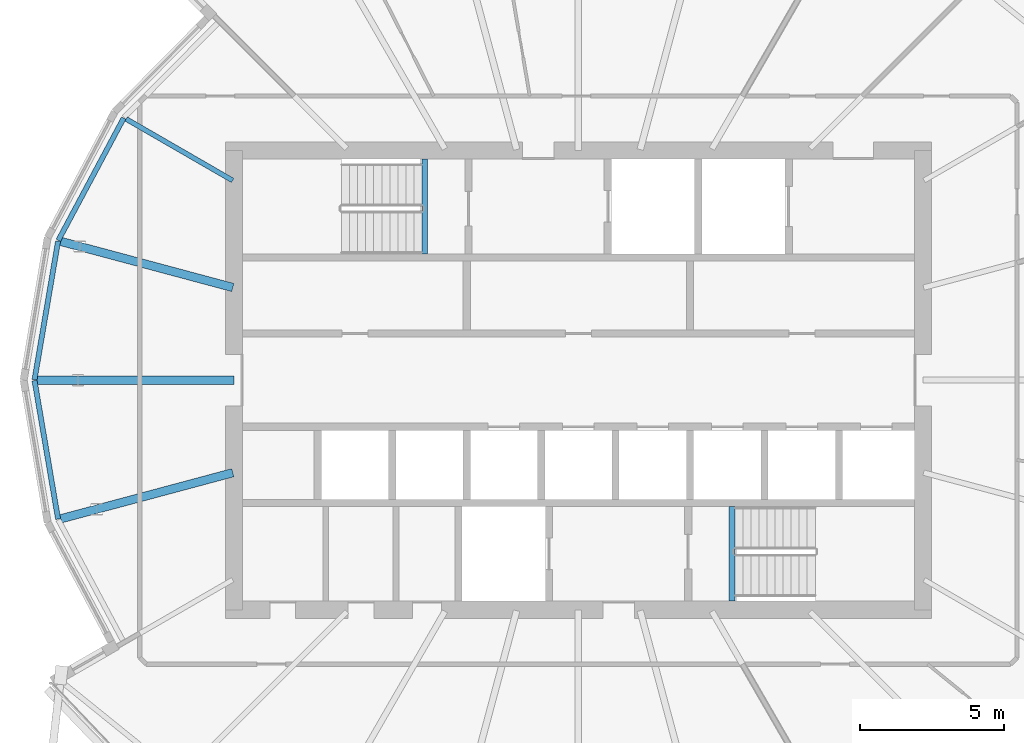
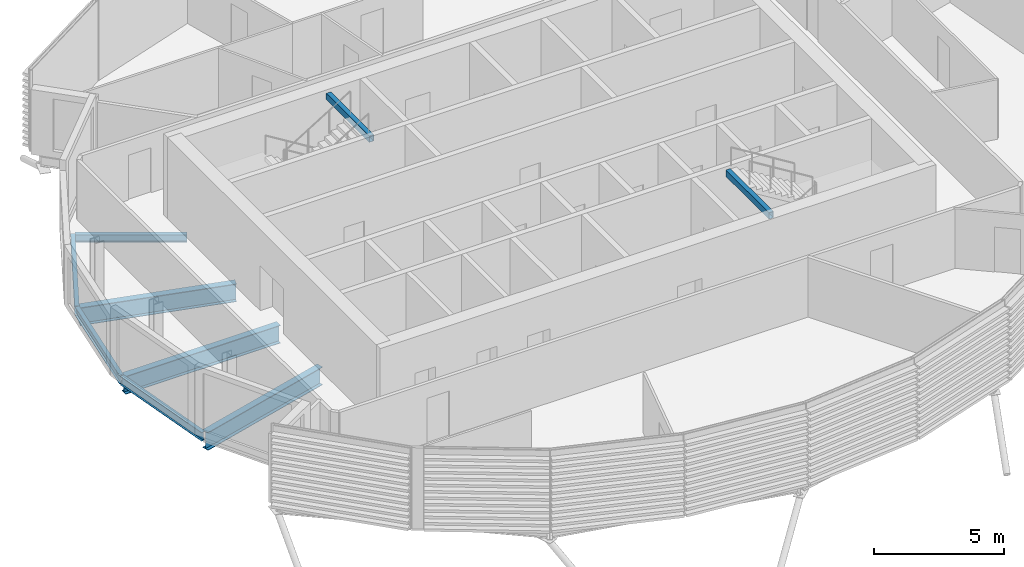
# One storey, part 5 of 36: 9 beams.
"""IFC4 building model written with IfcOpenShell, lengths in metres."""

from ifc_helpers import new_model, si_unit, direction, frame, origin, origin_2d, place, context, subcontext, project, spatial, hollow_rectangle, i_section, extrude, material, material_profile, profile_set, type_object, element, save


model = new_model("IFC4")

# Units and contexts
model_context = context("Model", 3, precision=1e-05, world=origin(), true_north=direction((0.0, 1.0)))
body_context = subcontext(model_context, "Body", "Model", "MODEL_VIEW")
ifc_project = project(units=[si_unit("LENGTHUNIT", "METRE"), si_unit("AREAUNIT", "SQUARE_METRE"), si_unit("VOLUMEUNIT", "CUBIC_METRE"), si_unit("PLANEANGLEUNIT", "RADIAN"), si_unit("MASSUNIT", "GRAM", prefix="KILO")], contexts=[model_context])

# Site, building, storey
site_placement = place(None, origin())
site = spatial("IfcSite", under=ifc_project, at=site_placement, CompositionType="ELEMENT")
building_placement = place(site_placement, origin())
building = spatial("IfcBuilding", under=site, at=building_placement, Name="Rimbun Link Towers", CompositionType="ELEMENT")
storey_placement = place(building_placement, frame((0.0, 0.0, 189.300048828125)))
storey = spatial("IfcBuildingStorey", under=building, at=storey_placement, Name="L46", CompositionType="ELEMENT", Elevation=189.300048828125)

# Beams
ifc_material_1 = material(Name="Steel S355J2", Category="steel")
ifc_material_profile_1 = material_profile(ifc_material_1, hollow_rectangle(XDim=0.199951171875, YDim=0.300048828125, WallThickness=0.011962890625, at=origin_2d()), Name="BOX 300x200x12")
ifc_profile_set_1 = profile_set([ifc_material_profile_1], Name="Steel S355J2")
beam_type_1 = type_object("IfcBeamType", Name="Stair trimmer beam BOX 300x200x12", PredefinedType="BEAM", material=ifc_profile_set_1)
for number, where, z_axis, x_axis, name in (
    (1, (-37.10009765625, 7.699951171875, 3.5), (0.0, -1.0, 0.0), (1.0, 0.0, 0.0), "L46 ST1 stair beam 1"),
    (2, (-26.39990234375, -7.699951171875, 3.5), (0.0, 1.0, 0.0), (-1.0, 0.0, 0.0), "L46 ST2 stair beam 1"),
):
    element("IfcBeam", number, at=place(storey_placement, frame(where, z_axis=z_axis, x_axis=x_axis)), inside=storey, type_object=beam_type_1, Name=name, PredefinedType="BEAM", context=body_context, shape_type="SweptSolid", body=[
        extrude(hollow_rectangle(XDim=0.199951171875, YDim=0.300048828125, WallThickness=0.011962890625, at=origin_2d()), origin(), (0.0, 0.0, 1.0), 3.300048828125),
    ])
ifc_material_2 = material(Name="Steel S355J2", Category="steel")
ifc_material_profile_2 = material_profile(ifc_material_2, i_section(OverallWidth=0.17138671875, OverallDepth=0.35498046875, WebThickness=0.00732421875, FlangeThickness=0.011474609375, at=origin_2d()), Name="UB 356x171x51")
ifc_profile_set_2 = profile_set([ifc_material_profile_2], Name="Steel S355J2")
beam_type_2 = type_object("IfcBeamType", Name="UB 356x171x51", PredefinedType="BEAM", material=ifc_profile_set_2)
beam_1_placement = place(storey_placement, frame((-43.793701171875, 6.95361328125, -0.32763671875), z_axis=(-0.866031820522, 0.499988885719, 0.0), x_axis=(-0.499988885719, -0.866031820522, 0.0)))
element("IfcBeam", 3, at=beam_1_placement, inside=storey, type_object=beam_type_2, Name="Radial beam T1 L46 10", PredefinedType="BEAM", context=body_context, shape_type="SweptSolid", body=[
    extrude(i_section(OverallWidth=0.17138671875, OverallDepth=0.35498046875, WebThickness=0.00732421875, FlangeThickness=0.011474609375, at=origin_2d()), origin(), (0.0, 0.0, 1.0), 4.283203125),
])
ifc_material_3 = material(Name="Steel S355J2", Category="steel")
ifc_material_profile_3 = material_profile(ifc_material_3, i_section(OverallWidth=0.177978515625, OverallDepth=0.406494140625, WebThickness=0.0078125, FlangeThickness=0.0126953125, at=origin_2d()), Name="UB 406x178x60")
ifc_profile_set_3 = profile_set([ifc_material_profile_3], Name="Steel S355J2")
beam_type_3 = type_object("IfcBeamType", Name="UB 406x178x60", PredefinedType="BEAM", material=ifc_profile_set_3)
beam_2_placement = place(storey_placement, frame((-47.588134765625, 9.1279296875, -0.353271484375), z_axis=(-0.471417274122, -0.881910286627, 0.0), x_axis=(0.881910286627, -0.471417274122, 0.0)))
element("IfcBeam", 4, at=beam_2_placement, inside=storey, type_object=beam_type_3, Name="Edge beam T1 L46 10 recess", PredefinedType="BEAM", context=body_context, shape_type="SweptSolid", body=[
    extrude(i_section(OverallWidth=0.177978515625, OverallDepth=0.406494140625, WebThickness=0.0078125, FlangeThickness=0.0126953125, at=origin_2d()), origin(), (0.0, 0.0, 1.0), 4.828857421875),
])
for number, where, z_axis, x_axis, name in (
    (5, (-49.874267578125, 4.840576171875, -0.353271484375), (-0.167666281056, -0.985843810244, 0.0), (0.985843810244, -0.167666281056, 0.0), "Edge beam T1 L46 11 recess"),
    (6, (-50.69482421875, -0.015869140625, -0.353271484375), (0.167666281056, -0.985843810244, 0.0), (0.985843810244, 0.167666281056, 0.0), "Edge beam T1 L46 12 recess"),
):
    element("IfcBeam", number, at=place(storey_placement, frame(where, z_axis=z_axis, x_axis=x_axis)), inside=storey, type_object=beam_type_3, Name=name, PredefinedType="BEAM", context=body_context, shape_type="SweptSolid", body=[
        extrude(i_section(OverallWidth=0.177978515625, OverallDepth=0.406494140625, WebThickness=0.0078125, FlangeThickness=0.0126953125, at=origin_2d()), origin(), (0.0, 0.0, 1.0), 4.89404296875),
    ])
ifc_material_4 = material(Name="Steel S355J2", Category="steel")
ifc_material_profile_4 = material_profile(ifc_material_4, i_section(OverallWidth=0.29248046875, OverallDepth=0.8408203125, WebThickness=0.0126953125, FlangeThickness=0.021728515625, at=origin_2d()), Name="UB 838x292x194")
ifc_profile_set_4 = profile_set([ifc_material_profile_4], Name="Steel S355J2")
beam_type_4 = type_object("IfcBeamType", Name="UB 838x292x194", PredefinedType="BEAM", material=ifc_profile_set_4)
beam_3_placement = place(storey_placement, frame((-43.788818359375, 3.225830078125, -0.570556640625), z_axis=(-0.965921541248, 0.258835036563, 0.0), x_axis=(-0.258835036563, -0.965921541248, 0.0)))
element("IfcBeam", 7, at=beam_3_placement, inside=storey, type_object=beam_type_4, Name="Radial beam T1 L46 11", PredefinedType="BEAM", context=body_context, shape_type="SweptSolid", body=[
    extrude(i_section(OverallWidth=0.29248046875, OverallDepth=0.8408203125, WebThickness=0.0126953125, FlangeThickness=0.021728515625, at=origin_2d()), origin(), (0.0, 0.0, 1.0), 6.207275390625),
])
beam_4_placement = place(storey_placement, frame((-43.7509765625, 0.0, -0.570556640625), z_axis=(-1.0, 0.0, 0.0), x_axis=(0.0, -1.0, 0.0)))
element("IfcBeam", 8, at=beam_4_placement, inside=storey, type_object=beam_type_4, Name="Radial beam T1 L46 12", PredefinedType="BEAM", context=body_context, shape_type="SweptSolid", body=[
    extrude(i_section(OverallWidth=0.29248046875, OverallDepth=0.8408203125, WebThickness=0.0126953125, FlangeThickness=0.021728515625, at=origin_2d()), origin(), (0.0, 0.0, 1.0), 6.8564453125),
])
beam_5_placement = place(storey_placement, frame((-43.788818359375, -3.225830078125, -0.570556640625), z_axis=(-0.965921541248, -0.258835036563, 0.0), x_axis=(0.258835036563, -0.965921541248, 0.0)))
element("IfcBeam", 9, at=beam_5_placement, inside=storey, type_object=beam_type_4, Name="Radial beam T1 L46 13", PredefinedType="BEAM", context=body_context, shape_type="SweptSolid", body=[
    extrude(i_section(OverallWidth=0.29248046875, OverallDepth=0.8408203125, WebThickness=0.0126953125, FlangeThickness=0.021728515625, at=origin_2d()), origin(), (0.0, 0.0, 1.0), 6.207275390625),
])

save(model, "model.ifc")
